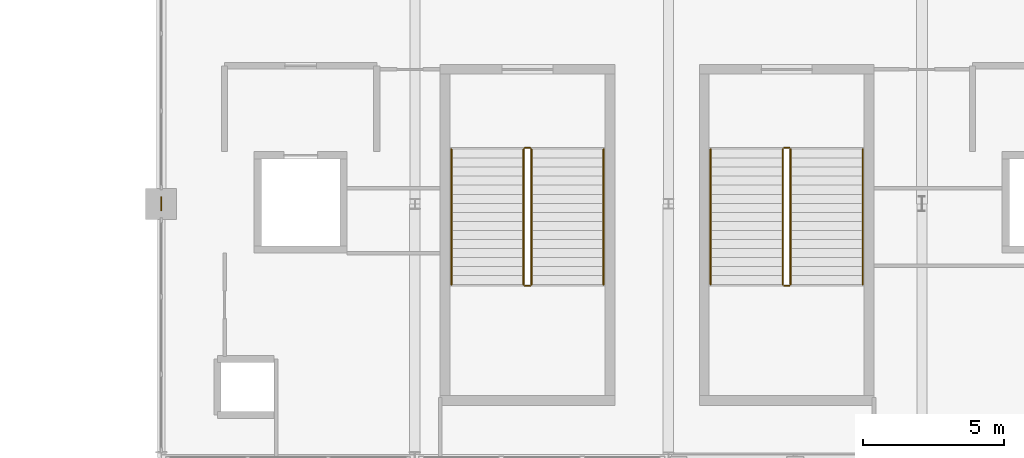
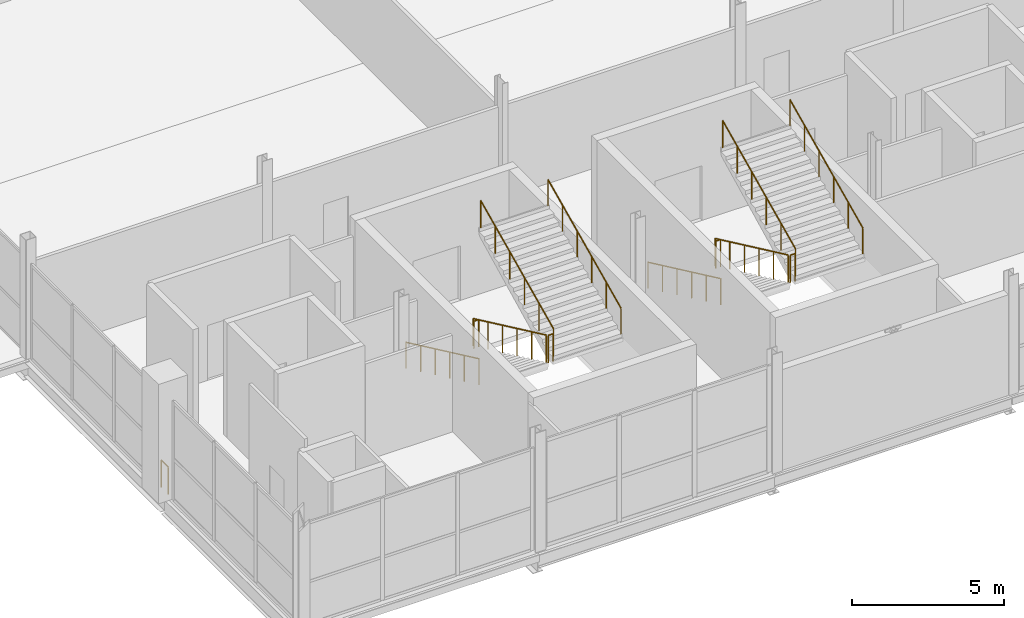
# One storey, part 60 of 69: 13 railings.
"""IFC4 building model written with IfcOpenShell, lengths in metres."""

from ifc_helpers import new_model, si_unit, direction, frame, origin, origin_2d, place, context, subcontext, project, spatial, circle, extrude, material, type_object, element, save


model = new_model("IFC4")

# Units and contexts
model_context = context("Model", 3, precision=1e-05, world=origin(), true_north=direction((0.0, 1.0)))
body_context = subcontext(model_context, "Body", "Model", "MODEL_VIEW")
ifc_project = project(units=[si_unit("LENGTHUNIT", "METRE"), si_unit("AREAUNIT", "SQUARE_METRE"), si_unit("VOLUMEUNIT", "CUBIC_METRE"), si_unit("PLANEANGLEUNIT", "RADIAN"), si_unit("MASSUNIT", "GRAM", prefix="KILO")], contexts=[model_context])

# Site, building, storey
site_placement = place(None, origin())
site = spatial("IfcSite", under=ifc_project, at=site_placement, CompositionType="ELEMENT")
building_placement = place(site_placement, origin())
building = spatial("IfcBuilding", under=site, at=building_placement, Name="Qamarlyn Nura Convention Centre", CompositionType="ELEMENT")
storey_placement = place(building_placement, frame((0.0, 0.0, 15.60009765625)))
storey = spatial("IfcBuildingStorey", under=building, at=storey_placement, Name="L03", CompositionType="ELEMENT", Elevation=15.60009765625)

# Railings
ifc_material = material(Name="Marine Grade 316 stainless steel", Category="steel")
railing_type_1 = type_object("IfcRailingType", Name="GRD-STAIR-112", PredefinedType="BALUSTRADE", material=ifc_material)
railing_1_placement = place(storey_placement, frame((165.860107421875, 10.93994140625, 0.14990234375)))
element("IfcRailing", 1, at=railing_1_placement, inside=storey, type_object=railing_type_1, Name="L03 ST-09 stair guard 1", PredefinedType="BALUSTRADE", context=body_context, shape_type="SweptSolid", body=[
    extrude(circle(Radius=0.02392578125, at=origin_2d()), frame((0.0, 0.0, 1.09619140625), z_axis=(0.0, -0.90546059521, 0.424430336476), x_axis=(1.0, 0.0, 0.0)), (0.0, 0.0, 1.0), 5.30126953125),
    extrude(circle(Radius=0.02099609375, at=origin_2d()), origin(), (0.0, 0.0, 1.0), 1.070068359375),
    extrude(circle(Radius=0.02099609375, at=origin_2d()), frame((0.0, -0.9599609375, 0.449951171875)), (0.0, 0.0, 1.0), 1.070068359375),
    extrude(circle(Radius=0.02099609375, at=origin_2d()), frame((0.0, -1.919921875, 0.89990234375)), (0.0, 0.0, 1.0), 1.070068359375),
    extrude(circle(Radius=0.02099609375, at=origin_2d()), frame((0.0, -2.880126953125, 1.35009765625)), (0.0, 0.0, 1.0), 1.070068359375),
    extrude(circle(Radius=0.02099609375, at=origin_2d()), frame((0.0, -3.840087890625, 1.800048828125)), (0.0, 0.0, 1.0), 1.070068359375),
    extrude(circle(Radius=0.02099609375, at=origin_2d()), frame((0.0, -4.800048828125, 2.25)), (0.0, 0.0, 1.0), 1.070068359375),
])
railing_2_placement = place(storey_placement, frame((165.909912109375, 6.090087890625, 2.39990234375)))
element("IfcRailing", 2, at=railing_2_placement, inside=storey, type_object=railing_type_1, Name="L03 ST-09 stair guard 2", PredefinedType="BALUSTRADE", context=body_context, shape_type="SweptSolid", body=[
    extrude(circle(Radius=0.02392578125, at=origin_2d()), frame((0.0, 0.0, 1.09619140625), z_axis=(1.0, 0.0, 0.0), x_axis=(0.0, 1.0, 0.0)), (0.0, 0.0, 1.0), 0.18017578125),
    extrude(circle(Radius=0.02099609375, at=origin_2d()), origin(), (0.0, 0.0, 1.0), 1.070068359375),
    extrude(circle(Radius=0.02099609375, at=origin_2d()), frame((0.18017578125, 0.0, 0.0)), (0.0, 0.0, 1.0), 1.070068359375),
])
railing_3_placement = place(storey_placement, frame((166.139892578125, 6.139892578125, 2.5498046875)))
element("IfcRailing", 3, at=railing_3_placement, inside=storey, type_object=railing_type_1, Name="L03 ST-09 stair guard 3", PredefinedType="BALUSTRADE", context=body_context, shape_type="SweptSolid", body=[
    extrude(circle(Radius=0.02392578125, at=origin_2d()), frame((0.0, 0.0, 1.09619140625), z_axis=(0.0, 0.90546059521, 0.424430336476), x_axis=(-1.0, 0.0, 0.0)), (0.0, 0.0, 1.0), 5.30126953125),
    extrude(circle(Radius=0.02099609375, at=origin_2d()), origin(), (0.0, 0.0, 1.0), 1.070068359375),
    extrude(circle(Radius=0.02099609375, at=origin_2d()), frame((0.0, 0.9599609375, 0.449951171875)), (0.0, 0.0, 1.0), 1.070068359375),
    extrude(circle(Radius=0.02099609375, at=origin_2d()), frame((0.0, 1.919921875, 0.89990234375)), (0.0, 0.0, 1.0), 1.070068359375),
    extrude(circle(Radius=0.02099609375, at=origin_2d()), frame((0.0, 2.880126953125, 1.35009765625)), (0.0, 0.0, 1.0), 1.070068359375),
    extrude(circle(Radius=0.02099609375, at=origin_2d()), frame((0.0, 3.840087890625, 1.800048828125)), (0.0, 0.0, 1.0), 1.070068359375),
    extrude(circle(Radius=0.02099609375, at=origin_2d()), frame((0.0, 4.800048828125, 2.25)), (0.0, 0.0, 1.0), 1.070068359375),
])
railing_4_placement = place(storey_placement, frame((165.909912109375, 10.989990234375, 0.0)))
element("IfcRailing", 4, at=railing_4_placement, inside=storey, type_object=railing_type_1, Name="L03 ST-09 stair guard 4", PredefinedType="BALUSTRADE", context=body_context, shape_type="SweptSolid", body=[
    extrude(circle(Radius=0.02392578125, at=origin_2d()), frame((0.0, 0.0, 1.09619140625), z_axis=(1.0, 0.0, 0.0), x_axis=(0.0, 1.0, 0.0)), (0.0, 0.0, 1.0), 0.18017578125),
    extrude(circle(Radius=0.02099609375, at=origin_2d()), origin(), (0.0, 0.0, 1.0), 1.070068359375),
    extrude(circle(Radius=0.02099609375, at=origin_2d()), frame((0.18017578125, 0.0, 0.0)), (0.0, 0.0, 1.0), 1.070068359375),
])
railing_5_placement = place(storey_placement, frame((175.06005859375, 10.93994140625, 0.14990234375)))
element("IfcRailing", 5, at=railing_5_placement, inside=storey, type_object=railing_type_1, Name="L03 ST-10 stair guard 1", PredefinedType="BALUSTRADE", context=body_context, shape_type="SweptSolid", body=[
    extrude(circle(Radius=0.02392578125, at=origin_2d()), frame((0.0, 0.0, 1.09619140625), z_axis=(0.0, -0.90546059521, 0.424430336476), x_axis=(1.0, 0.0, 0.0)), (0.0, 0.0, 1.0), 5.30126953125),
    extrude(circle(Radius=0.02099609375, at=origin_2d()), origin(), (0.0, 0.0, 1.0), 1.070068359375),
    extrude(circle(Radius=0.02099609375, at=origin_2d()), frame((0.0, -0.9599609375, 0.449951171875)), (0.0, 0.0, 1.0), 1.070068359375),
    extrude(circle(Radius=0.02099609375, at=origin_2d()), frame((0.0, -1.919921875, 0.89990234375)), (0.0, 0.0, 1.0), 1.070068359375),
    extrude(circle(Radius=0.02099609375, at=origin_2d()), frame((0.0, -2.880126953125, 1.35009765625)), (0.0, 0.0, 1.0), 1.070068359375),
    extrude(circle(Radius=0.02099609375, at=origin_2d()), frame((0.0, -3.840087890625, 1.800048828125)), (0.0, 0.0, 1.0), 1.070068359375),
    extrude(circle(Radius=0.02099609375, at=origin_2d()), frame((0.0, -4.800048828125, 2.25)), (0.0, 0.0, 1.0), 1.070068359375),
])
railing_6_placement = place(storey_placement, frame((175.110107421875, 6.090087890625, 2.39990234375)))
element("IfcRailing", 6, at=railing_6_placement, inside=storey, type_object=railing_type_1, Name="L03 ST-10 stair guard 2", PredefinedType="BALUSTRADE", context=body_context, shape_type="SweptSolid", body=[
    extrude(circle(Radius=0.02392578125, at=origin_2d()), frame((0.0, 0.0, 1.09619140625), z_axis=(1.0, 0.0, 0.0), x_axis=(0.0, 1.0, 0.0)), (0.0, 0.0, 1.0), 0.179931640625),
    extrude(circle(Radius=0.02099609375, at=origin_2d()), origin(), (0.0, 0.0, 1.0), 1.070068359375),
    extrude(circle(Radius=0.02099609375, at=origin_2d()), frame((0.179931640625, 0.0, 0.0)), (0.0, 0.0, 1.0), 1.070068359375),
])
railing_7_placement = place(storey_placement, frame((175.340087890625, 6.139892578125, 2.5498046875)))
element("IfcRailing", 7, at=railing_7_placement, inside=storey, type_object=railing_type_1, Name="L03 ST-10 stair guard 3", PredefinedType="BALUSTRADE", context=body_context, shape_type="SweptSolid", body=[
    extrude(circle(Radius=0.02392578125, at=origin_2d()), frame((0.0, 0.0, 1.09619140625), z_axis=(0.0, 0.90546059521, 0.424430336476), x_axis=(-1.0, 0.0, 0.0)), (0.0, 0.0, 1.0), 5.30126953125),
    extrude(circle(Radius=0.02099609375, at=origin_2d()), origin(), (0.0, 0.0, 1.0), 1.070068359375),
    extrude(circle(Radius=0.02099609375, at=origin_2d()), frame((0.0, 0.9599609375, 0.449951171875)), (0.0, 0.0, 1.0), 1.070068359375),
    extrude(circle(Radius=0.02099609375, at=origin_2d()), frame((0.0, 1.919921875, 0.89990234375)), (0.0, 0.0, 1.0), 1.070068359375),
    extrude(circle(Radius=0.02099609375, at=origin_2d()), frame((0.0, 2.880126953125, 1.35009765625)), (0.0, 0.0, 1.0), 1.070068359375),
    extrude(circle(Radius=0.02099609375, at=origin_2d()), frame((0.0, 3.840087890625, 1.800048828125)), (0.0, 0.0, 1.0), 1.070068359375),
    extrude(circle(Radius=0.02099609375, at=origin_2d()), frame((0.0, 4.800048828125, 2.25)), (0.0, 0.0, 1.0), 1.070068359375),
])
railing_8_placement = place(storey_placement, frame((175.110107421875, 10.989990234375, 0.0)))
element("IfcRailing", 8, at=railing_8_placement, inside=storey, type_object=railing_type_1, Name="L03 ST-10 stair guard 4", PredefinedType="BALUSTRADE", context=body_context, shape_type="SweptSolid", body=[
    extrude(circle(Radius=0.02392578125, at=origin_2d()), frame((0.0, 0.0, 1.09619140625), z_axis=(1.0, 0.0, 0.0), x_axis=(0.0, 1.0, 0.0)), (0.0, 0.0, 1.0), 0.179931640625),
    extrude(circle(Radius=0.02099609375, at=origin_2d()), origin(), (0.0, 0.0, 1.0), 1.070068359375),
    extrude(circle(Radius=0.02099609375, at=origin_2d()), frame((0.179931640625, 0.0, 0.0)), (0.0, 0.0, 1.0), 1.070068359375),
])
railing_type_2 = type_object("IfcRailingType", Name="GRD-VOID-112", PredefinedType="BALUSTRADE", material=ifc_material)
railing_9_placement = place(storey_placement, frame((153.0, 8.77001953125, 0.0)))
element("IfcRailing", 9, at=railing_9_placement, inside=storey, type_object=railing_type_2, Name="L03 slab edge balustrade guard 065", PredefinedType="BALUSTRADE", context=body_context, shape_type="SweptSolid", body=[
    extrude(circle(Radius=0.02392578125, at=origin_2d()), frame((0.0, 0.0, 1.09619140625), z_axis=(0.0, 1.0, 0.0), x_axis=(-1.0, 0.0, 0.0)), (0.0, 0.0, 1.0), 0.4599609375),
    extrude(circle(Radius=0.02099609375, at=origin_2d()), origin(), (0.0, 0.0, 1.0), 1.070068359375),
    extrude(circle(Radius=0.02099609375, at=origin_2d()), frame((0.0, 0.4599609375, 0.0)), (0.0, 0.0, 1.0), 1.070068359375),
])
railing_type_3 = type_object("IfcRailingType", Name="HRL-STAIR-090", PredefinedType="HANDRAIL", material=ifc_material)
railing_10_placement = place(storey_placement, frame((163.300048828125, 10.93994140625, 0.30224609375)))
element("IfcRailing", 10, at=railing_10_placement, inside=storey, type_object=railing_type_3, Name="L03 ST-09 stair handrail 1", PredefinedType="HANDRAIL", context=body_context, shape_type="SweptSolid", body=[
    extrude(circle(Radius=0.02392578125, at=origin_2d()), frame((0.0, 0.0, 0.88818359375), z_axis=(0.0, -0.90546059521, 0.424430336476), x_axis=(1.0, 0.0, 0.0)), (0.0, 0.0, 1.0), 5.30126953125),
    extrude(circle(Radius=0.02099609375, at=origin_2d()), frame((0.0, 0.0, -0.155029296875)), (0.0, 0.0, 1.0), 1.01708984375),
    extrude(circle(Radius=0.02099609375, at=origin_2d()), frame((0.0, -0.9599609375, 0.294921875)), (0.0, 0.0, 1.0), 1.01708984375),
    extrude(circle(Radius=0.02099609375, at=origin_2d()), frame((0.0, -1.919921875, 0.744873046875)), (0.0, 0.0, 1.0), 1.01708984375),
    extrude(circle(Radius=0.02099609375, at=origin_2d()), frame((0.0, -2.880126953125, 1.195068359375)), (0.0, 0.0, 1.0), 1.01708984375),
    extrude(circle(Radius=0.02099609375, at=origin_2d()), frame((0.0, -3.840087890625, 1.64501953125)), (0.0, 0.0, 1.0), 1.01708984375),
    extrude(circle(Radius=0.02099609375, at=origin_2d()), frame((0.0, -4.800048828125, 2.094970703125)), (0.0, 0.0, 1.0), 1.01708984375),
])
railing_11_placement = place(storey_placement, frame((168.699951171875, 6.139892578125, 2.7021484375)))
element("IfcRailing", 11, at=railing_11_placement, inside=storey, type_object=railing_type_3, Name="L03 ST-09 stair handrail 2", PredefinedType="HANDRAIL", context=body_context, shape_type="SweptSolid", body=[
    extrude(circle(Radius=0.02392578125, at=origin_2d()), frame((0.0, 0.0, 0.88818359375), z_axis=(0.0, 0.90546059521, 0.424430336476), x_axis=(-1.0, 0.0, 0.0)), (0.0, 0.0, 1.0), 5.30126953125),
    extrude(circle(Radius=0.02099609375, at=origin_2d()), frame((0.0, 0.0, -0.155029296875)), (0.0, 0.0, 1.0), 1.01708984375),
    extrude(circle(Radius=0.02099609375, at=origin_2d()), frame((0.0, 0.9599609375, 0.294921875)), (0.0, 0.0, 1.0), 1.01708984375),
    extrude(circle(Radius=0.02099609375, at=origin_2d()), frame((0.0, 1.919921875, 0.744873046875)), (0.0, 0.0, 1.0), 1.01708984375),
    extrude(circle(Radius=0.02099609375, at=origin_2d()), frame((0.0, 2.880126953125, 1.195068359375)), (0.0, 0.0, 1.0), 1.01708984375),
    extrude(circle(Radius=0.02099609375, at=origin_2d()), frame((0.0, 3.840087890625, 1.64501953125)), (0.0, 0.0, 1.0), 1.01708984375),
    extrude(circle(Radius=0.02099609375, at=origin_2d()), frame((0.0, 4.800048828125, 2.094970703125)), (0.0, 0.0, 1.0), 1.01708984375),
])
railing_12_placement = place(storey_placement, frame((172.5, 10.93994140625, 0.30224609375)))
element("IfcRailing", 12, at=railing_12_placement, inside=storey, type_object=railing_type_3, Name="L03 ST-10 stair handrail 1", PredefinedType="HANDRAIL", context=body_context, shape_type="SweptSolid", body=[
    extrude(circle(Radius=0.02392578125, at=origin_2d()), frame((0.0, 0.0, 0.88818359375), z_axis=(0.0, -0.90546059521, 0.424430336476), x_axis=(1.0, 0.0, 0.0)), (0.0, 0.0, 1.0), 5.30126953125),
    extrude(circle(Radius=0.02099609375, at=origin_2d()), frame((0.0, 0.0, -0.155029296875)), (0.0, 0.0, 1.0), 1.01708984375),
    extrude(circle(Radius=0.02099609375, at=origin_2d()), frame((0.0, -0.9599609375, 0.294921875)), (0.0, 0.0, 1.0), 1.01708984375),
    extrude(circle(Radius=0.02099609375, at=origin_2d()), frame((0.0, -1.919921875, 0.744873046875)), (0.0, 0.0, 1.0), 1.01708984375),
    extrude(circle(Radius=0.02099609375, at=origin_2d()), frame((0.0, -2.880126953125, 1.195068359375)), (0.0, 0.0, 1.0), 1.01708984375),
    extrude(circle(Radius=0.02099609375, at=origin_2d()), frame((0.0, -3.840087890625, 1.64501953125)), (0.0, 0.0, 1.0), 1.01708984375),
    extrude(circle(Radius=0.02099609375, at=origin_2d()), frame((0.0, -4.800048828125, 2.094970703125)), (0.0, 0.0, 1.0), 1.01708984375),
])
railing_13_placement = place(storey_placement, frame((177.89990234375, 6.139892578125, 2.7021484375)))
element("IfcRailing", 13, at=railing_13_placement, inside=storey, type_object=railing_type_3, Name="L03 ST-10 stair handrail 2", PredefinedType="HANDRAIL", context=body_context, shape_type="SweptSolid", body=[
    extrude(circle(Radius=0.02392578125, at=origin_2d()), frame((0.0, 0.0, 0.88818359375), z_axis=(0.0, 0.90546059521, 0.424430336476), x_axis=(-1.0, 0.0, 0.0)), (0.0, 0.0, 1.0), 5.30126953125),
    extrude(circle(Radius=0.02099609375, at=origin_2d()), frame((0.0, 0.0, -0.155029296875)), (0.0, 0.0, 1.0), 1.01708984375),
    extrude(circle(Radius=0.02099609375, at=origin_2d()), frame((0.0, 0.9599609375, 0.294921875)), (0.0, 0.0, 1.0), 1.01708984375),
    extrude(circle(Radius=0.02099609375, at=origin_2d()), frame((0.0, 1.919921875, 0.744873046875)), (0.0, 0.0, 1.0), 1.01708984375),
    extrude(circle(Radius=0.02099609375, at=origin_2d()), frame((0.0, 2.880126953125, 1.195068359375)), (0.0, 0.0, 1.0), 1.01708984375),
    extrude(circle(Radius=0.02099609375, at=origin_2d()), frame((0.0, 3.840087890625, 1.64501953125)), (0.0, 0.0, 1.0), 1.01708984375),
    extrude(circle(Radius=0.02099609375, at=origin_2d()), frame((0.0, 4.800048828125, 2.094970703125)), (0.0, 0.0, 1.0), 1.01708984375),
])

save(model, "model.ifc")
